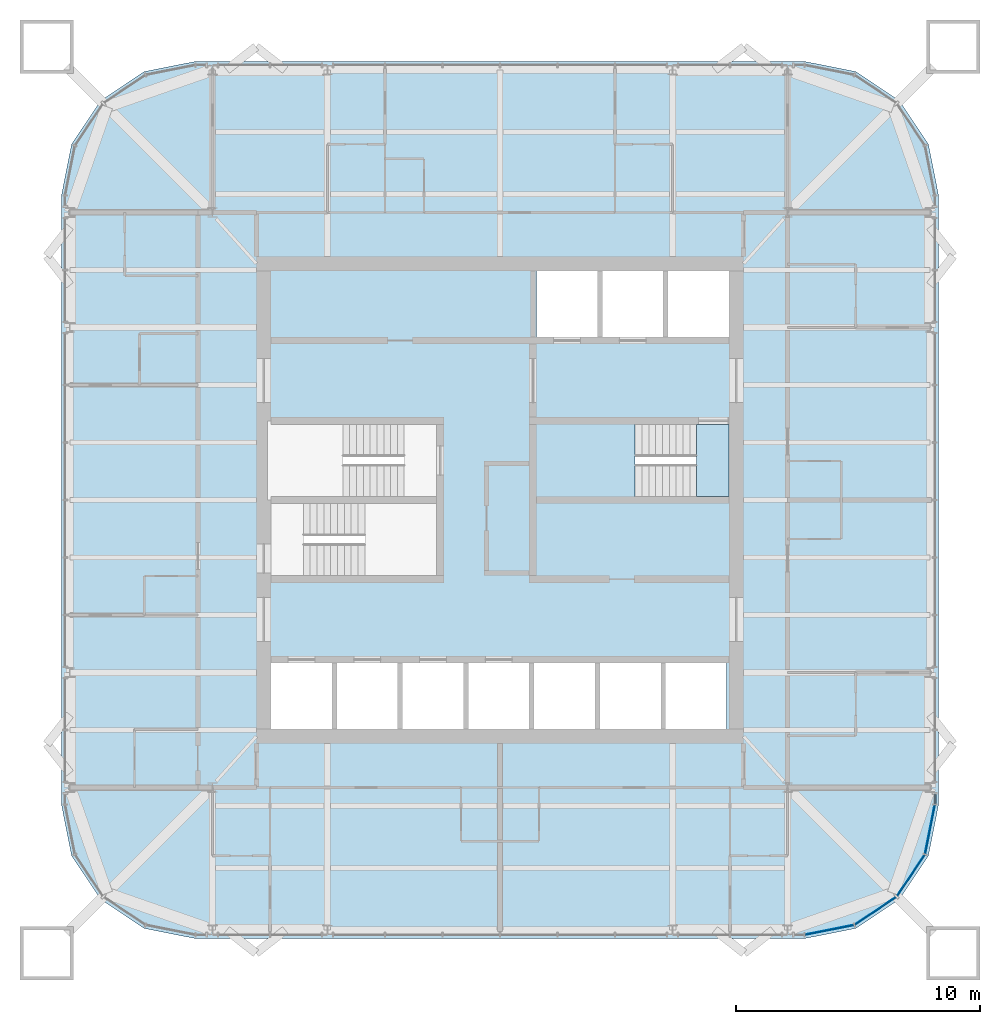
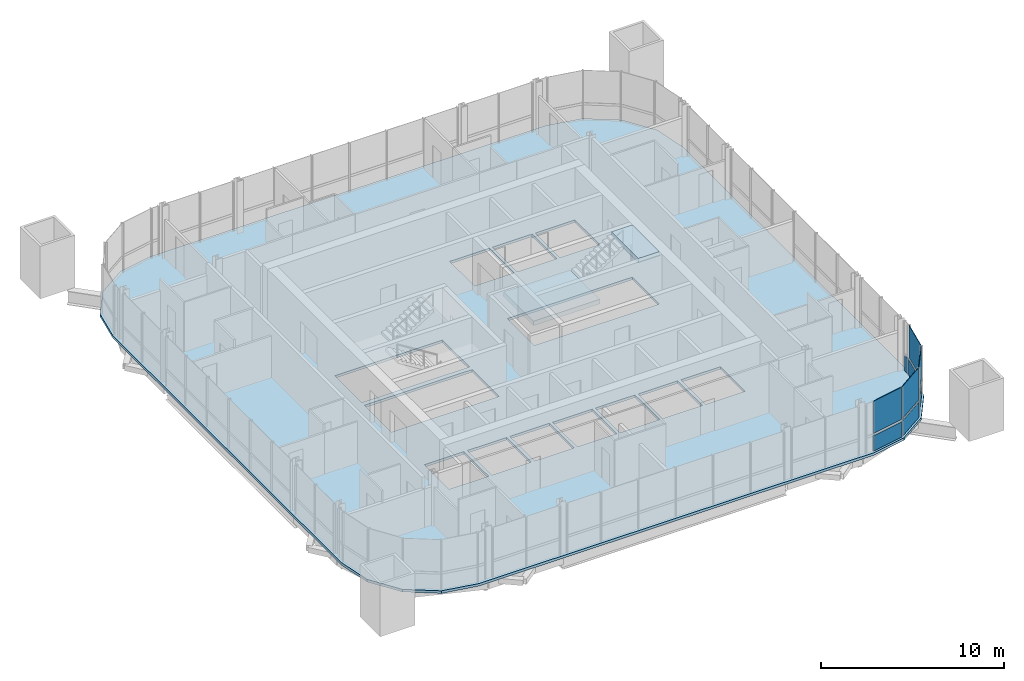
# One storey, part 10 of 17: 9 plates, 3 slabs, 3 elements without a shape of their own.
"""IFC4 building model written with IfcOpenShell, lengths in metres."""

from ifc_helpers import new_model, si_unit, direction, frame, origin, origin_2d, place, context, subcontext, project, spatial, polyline, rectangle, outline, extrude, material, layer, layer_set, type_object, element, aggregate, save


model = new_model("IFC4")

# Units and contexts
model_context = context("Model", 3, precision=1e-05, world=origin(), true_north=direction((0.0, 1.0)))
body_context = subcontext(model_context, "Body", "Model", "MODEL_VIEW")
ifc_project = project(units=[si_unit("LENGTHUNIT", "METRE"), si_unit("AREAUNIT", "SQUARE_METRE"), si_unit("VOLUMEUNIT", "CUBIC_METRE"), si_unit("PLANEANGLEUNIT", "RADIAN"), si_unit("MASSUNIT", "GRAM", prefix="KILO")], contexts=[model_context])

# Site, building, storey
site_placement = place(None, origin())
site = spatial("IfcSite", under=ifc_project, at=site_placement, CompositionType="ELEMENT")
building_placement = place(site_placement, origin())
building = spatial("IfcBuilding", under=site, at=building_placement, Name="Turquesa Mirador Hotel Tower", CompositionType="ELEMENT")
storey_placement = place(building_placement, frame((0.0, 0.0, 237.199951171875)))
storey = spatial("IfcBuildingStorey", under=building, at=storey_placement, Name="L64", CompositionType="ELEMENT", Elevation=237.199951171875)

# Slab
ifc_material_1 = material(Name="Concrete C28/35", Category="concrete")
ifc_layer_1 = layer(ifc_material_1, 0.169921875)
ifc_layer_set_1 = layer_set([ifc_layer_1], Name="COMPOSITE FLOOR SLAB 170")
slab_type_1 = type_object("IfcSlabType", Name="COMPOSITE FLOOR SLAB 170", PredefinedType="FLOOR", material=ifc_layer_set_1)
slab_1_placement = place(storey_placement, frame((0.0, 0.0, -0.169921875)))
element("IfcSlab", 1, at=slab_1_placement, inside=storey, type_object=slab_type_1, Name="Floor slab L64", PredefinedType="FLOOR", context=body_context, shape_type="SweptSolid", body=[
    extrude(outline(polyline([(67.5, 27.0), (69.604736328125, 27.418701171875), (71.38916015625, 28.61083984375), (72.581298828125, 30.395263671875), (73.0, 32.5), (73.0, 57.5), (72.581298828125, 59.604736328125), (71.38916015625, 61.38916015625), (69.604736328125, 62.581298828125), (67.5, 63.0), (42.5, 63.0), (40.395263671875, 62.581298828125), (38.61083984375, 61.38916015625), (37.418701171875, 59.604736328125), (37.0, 57.5), (37.0, 32.5), (37.418701171875, 30.395263671875), (38.61083984375, 28.61083984375), (40.395263671875, 27.418701171875), (42.5, 27.0), (67.5, 27.0)]), holes=[polyline([(56.5, 51.699951171875), (59.0, 51.699951171875), (59.0, 54.39990234375), (56.5, 54.39990234375), (56.5, 51.699951171875)]), polyline([(59.199951171875, 51.699951171875), (61.699951171875, 51.699951171875), (61.699951171875, 54.39990234375), (59.199951171875, 54.39990234375), (59.199951171875, 51.699951171875)]), polyline([(45.60009765625, 35.60009765625), (48.10009765625, 35.60009765625), (48.10009765625, 38.300048828125), (45.60009765625, 38.300048828125), (45.60009765625, 35.60009765625)]), polyline([(48.300048828125, 35.60009765625), (50.800048828125, 35.60009765625), (50.800048828125, 38.300048828125), (48.300048828125, 38.300048828125), (48.300048828125, 35.60009765625)]), polyline([(51.0, 35.60009765625), (53.5, 35.60009765625), (53.5, 38.300048828125), (51.0, 38.300048828125), (51.0, 35.60009765625)]), polyline([(53.699951171875, 35.60009765625), (56.199951171875, 35.60009765625), (56.199951171875, 38.300048828125), (53.699951171875, 38.300048828125), (53.699951171875, 35.60009765625)]), polyline([(56.39990234375, 35.60009765625), (58.89990234375, 35.60009765625), (58.89990234375, 38.300048828125), (56.39990234375, 38.300048828125), (56.39990234375, 35.60009765625)]), polyline([(59.10009765625, 35.60009765625), (61.60009765625, 35.60009765625), (61.60009765625, 38.300048828125), (59.10009765625, 38.300048828125), (59.10009765625, 35.60009765625)]), polyline([(61.800048828125, 35.60009765625), (64.300048828125, 35.60009765625), (64.300048828125, 38.300048828125), (61.800048828125, 38.300048828125), (61.800048828125, 35.60009765625)]), polyline([(45.60009765625, 45.14990234375), (52.39990234375, 45.14990234375), (52.39990234375, 48.10009765625), (45.60009765625, 48.10009765625), (45.60009765625, 45.14990234375)]), polyline([(45.60009765625, 41.89990234375), (52.39990234375, 41.89990234375), (52.39990234375, 44.85009765625), (45.60009765625, 44.85009765625), (45.60009765625, 41.89990234375)]), polyline([(56.5, 45.14990234375), (64.39990234375, 45.14990234375), (64.39990234375, 48.10009765625), (56.5, 48.10009765625), (56.5, 45.14990234375)]), polyline([(61.89990234375, 51.699951171875), (64.39990234375, 51.699951171875), (64.39990234375, 54.39990234375), (61.89990234375, 54.39990234375), (61.89990234375, 51.699951171875)])]), origin(), (0.0, 0.0, 1.0), 0.169921875),
])

# Curtain wall, plates
ifc_material_2 = material(Name="Aluminium extrusion", Category="aluminium")
curtain_wall_type = type_object("IfcCurtainWallType", Name="CW-4 SUITE FRITTED CURTAIN WALL", PredefinedType="USERDEFINED", material=ifc_material_2)
curtain_wall_1_placement = place(storey_placement, origin())
curtain_wall_1 = element("IfcCurtainWall", 2, at=curtain_wall_1_placement, inside=storey, type_object=curtain_wall_type, Name="CW-4 SUITE FRITTED CURTAIN WALL L64", ObjectType="CURTAIN WALL", PredefinedType="USERDEFINED")
ifc_material_3 = material(Name="Ceramic-printed spandrel glass on an insulated back pan", Category="glass")
ifc_layer_2 = layer(ifc_material_3, 0.050048828125)
ifc_layer_set_2 = layer_set([ifc_layer_2], Name="CW PANEL SPANDREL CERAMIC")
plate_type_1 = type_object("IfcPlateType", Name="CW PANEL SPANDREL CERAMIC", PredefinedType="CURTAIN_PANEL", material=ifc_layer_set_2)
plate_1_placement = place(storey_placement, frame((68.523681640625, 27.353515625, 0.0), z_axis=(0.0, 0.0, 1.0), x_axis=(0.980785228048, 0.195090585221, 0.0)))
plate_1 = element("IfcPlate", 3, at=plate_1_placement, type_object=plate_type_1, Name="Panel", PredefinedType="CURTAIN_PANEL", context=body_context, shape_type="SweptSolid", body=[
    extrude(rectangle(XDim=2.0224609375, YDim=0.050048828125, at=origin_2d()), origin(), (0.0, 0.0, 1.0), 1.02490234375),
])
plate_2_placement = place(storey_placement, frame((70.415283203125, 28.13720703125, 0.0), z_axis=(0.0, 0.0, 1.0), x_axis=(0.831469673284, 0.555570141754, 0.0)))
plate_2 = element("IfcPlate", 4, at=plate_2_placement, type_object=plate_type_1, Name="Panel", PredefinedType="CURTAIN_PANEL", context=body_context, shape_type="SweptSolid", body=[
    extrude(rectangle(XDim=2.0224609375, YDim=0.050048828125, at=origin_2d()), origin(), (0.0, 0.0, 1.0), 1.02490234375),
])
plate_3_placement = place(storey_placement, frame((71.86279296875, 29.584716796875, 0.0), z_axis=(0.0, 0.0, 1.0), x_axis=(0.555570141754, 0.831469673284, 0.0)))
plate_3 = element("IfcPlate", 5, at=plate_3_placement, type_object=plate_type_1, Name="Panel", PredefinedType="CURTAIN_PANEL", context=body_context, shape_type="SweptSolid", body=[
    extrude(rectangle(XDim=2.0224609375, YDim=0.050048828125, at=origin_2d()), origin(), (0.0, 0.0, 1.0), 1.02490234375),
])
plate_4_placement = place(storey_placement, frame((72.646484375, 31.476318359375, 0.0), z_axis=(0.0, 0.0, 1.0), x_axis=(0.195090585221, 0.980785228048, 0.0)))
plate_4 = element("IfcPlate", 6, at=plate_4_placement, type_object=plate_type_1, Name="Panel", PredefinedType="CURTAIN_PANEL", context=body_context, shape_type="SweptSolid", body=[
    extrude(rectangle(XDim=2.0224609375, YDim=0.050048828125, at=origin_2d()), origin(), (0.0, 0.0, 1.0), 1.02490234375),
])

# Curtain wall, plate
curtain_wall_2_placement = place(storey_placement, origin())
curtain_wall_2 = element("IfcCurtainWall", 7, at=curtain_wall_2_placement, inside=storey, type_object=curtain_wall_type, Name="CW-4 SUITE FRITTED CURTAIN WALL L64", ObjectType="CURTAIN WALL", PredefinedType="USERDEFINED")
plate_5_placement = place(storey_placement, frame((72.85009765625, 32.733154296875, 0.0), z_axis=(0.0, 0.0, 1.0), x_axis=(0.0, 1.0, 0.0)))
plate_5 = element("IfcPlate", 8, at=plate_5_placement, type_object=plate_type_1, Name="Panel", PredefinedType="CURTAIN_PANEL", context=body_context, shape_type="SweptSolid", body=[
    extrude(rectangle(XDim=0.401123046875, YDim=0.050048828125, at=origin_2d()), origin(), (0.0, 0.0, 1.0), 1.02490234375),
])
aggregate(curtain_wall_2, [plate_5])

# Plate
ifc_material_4 = material(Name="Ceramic-fritted laminated glass", Category="glass")
ifc_layer_3 = layer(ifc_material_4, 0.031982421875)
ifc_layer_set_3 = layer_set([ifc_layer_3], Name="CW PANEL VISION FRITTED")
plate_type_2 = type_object("IfcPlateType", Name="CW PANEL VISION FRITTED", PredefinedType="CURTAIN_PANEL", material=ifc_layer_set_3)
plate_6_placement = place(storey_placement, frame((68.523681640625, 27.353515625, 1.1748046875), z_axis=(0.0, 0.0, 1.0), x_axis=(0.980785228048, 0.195090585221, 0.0)))
plate_6 = element("IfcPlate", 9, at=plate_6_placement, type_object=plate_type_2, Name="Panel", PredefinedType="CURTAIN_PANEL", context=body_context, shape_type="SweptSolid", body=[
    extrude(rectangle(XDim=2.0224609375, YDim=0.031982421875, at=origin_2d()), origin(), (0.0, 0.0, 1.0), 2.155029296875),
])

plate_7_placement = place(storey_placement, frame((70.415283203125, 28.13720703125, 1.1748046875), z_axis=(0.0, 0.0, 1.0), x_axis=(0.831469673284, 0.555570141754, 0.0)))
plate_7 = element("IfcPlate", 10, at=plate_7_placement, type_object=plate_type_2, Name="Panel", PredefinedType="CURTAIN_PANEL", context=body_context, shape_type="SweptSolid", body=[
    extrude(rectangle(XDim=2.0224609375, YDim=0.031982421875, at=origin_2d()), origin(), (0.0, 0.0, 1.0), 2.155029296875),
])

plate_8_placement = place(storey_placement, frame((71.86279296875, 29.584716796875, 1.1748046875), z_axis=(0.0, 0.0, 1.0), x_axis=(0.555570141754, 0.831469673284, 0.0)))
plate_8 = element("IfcPlate", 11, at=plate_8_placement, type_object=plate_type_2, Name="Panel", PredefinedType="CURTAIN_PANEL", context=body_context, shape_type="SweptSolid", body=[
    extrude(rectangle(XDim=2.0224609375, YDim=0.031982421875, at=origin_2d()), origin(), (0.0, 0.0, 1.0), 2.155029296875),
])

plate_9_placement = place(storey_placement, frame((72.646484375, 31.476318359375, 1.1748046875), z_axis=(0.0, 0.0, 1.0), x_axis=(0.195090585221, 0.980785228048, 0.0)))
plate_9 = element("IfcPlate", 12, at=plate_9_placement, type_object=plate_type_2, Name="Panel", PredefinedType="CURTAIN_PANEL", context=body_context, shape_type="SweptSolid", body=[
    extrude(rectangle(XDim=2.0224609375, YDim=0.031982421875, at=origin_2d()), origin(), (0.0, 0.0, 1.0), 2.155029296875),
])

aggregate(curtain_wall_1, [plate_1, plate_6, plate_2, plate_7, plate_3, plate_8, plate_4, plate_9])

# Stair, slabs
ifc_material_5 = material(Name="Concrete C35/45", Category="concrete")
stair_type = type_object("IfcStairType", Name="ESCAPE STAIR CORE", PredefinedType="HALF_TURN_STAIR", material=ifc_material_5)
stair_placement = place(storey_placement, origin())
stair = element("IfcStair", 13, at=stair_placement, inside=storey, type_object=stair_type, Name="Stair ST3 L64 to L65", PredefinedType="HALF_TURN_STAIR")
ifc_material_6 = material(Name="Concrete C35/45", Category="concrete")
ifc_layer_4 = layer(ifc_material_6, 0.300048828125)
ifc_layer_set_4 = layer_set([ifc_layer_4], Name="STAIR LANDING 300")
slab_type_2 = type_object("IfcSlabType", Name="STAIR LANDING 300", PredefinedType="LANDING", material=ifc_layer_set_4)
slab_2_placement = place(storey_placement, frame((0.0, 0.0, 1.449951171875)))
slab_2 = element("IfcSlab", 14, at=slab_2_placement, type_object=slab_type_2, Name="ST3 landing 1", PredefinedType="LANDING", context=body_context, shape_type="SweptSolid", body=[
    extrude(outline(polyline([(56.35009765625, 45.0), (60.550048828125, 45.0), (60.550048828125, 48.25), (56.35009765625, 48.25), (56.35009765625, 45.0)])), origin(), (0.0, 0.0, 1.0), 0.300048828125),
])
slab_3_placement = place(storey_placement, frame((0.0, 0.0, 3.199951171875)))
slab_3 = element("IfcSlab", 15, at=slab_3_placement, type_object=slab_type_2, Name="ST3 landing 2", PredefinedType="LANDING", context=body_context, shape_type="SweptSolid", body=[
    extrude(outline(polyline([(63.070068359375, 45.14990234375), (64.39990234375, 45.14990234375), (64.39990234375, 48.10009765625), (63.070068359375, 48.10009765625), (63.070068359375, 45.14990234375)])), origin(), (0.0, 0.0, 1.0), 0.300048828125),
])
aggregate(stair, [slab_2, slab_3])

save(model, "model.ifc")
